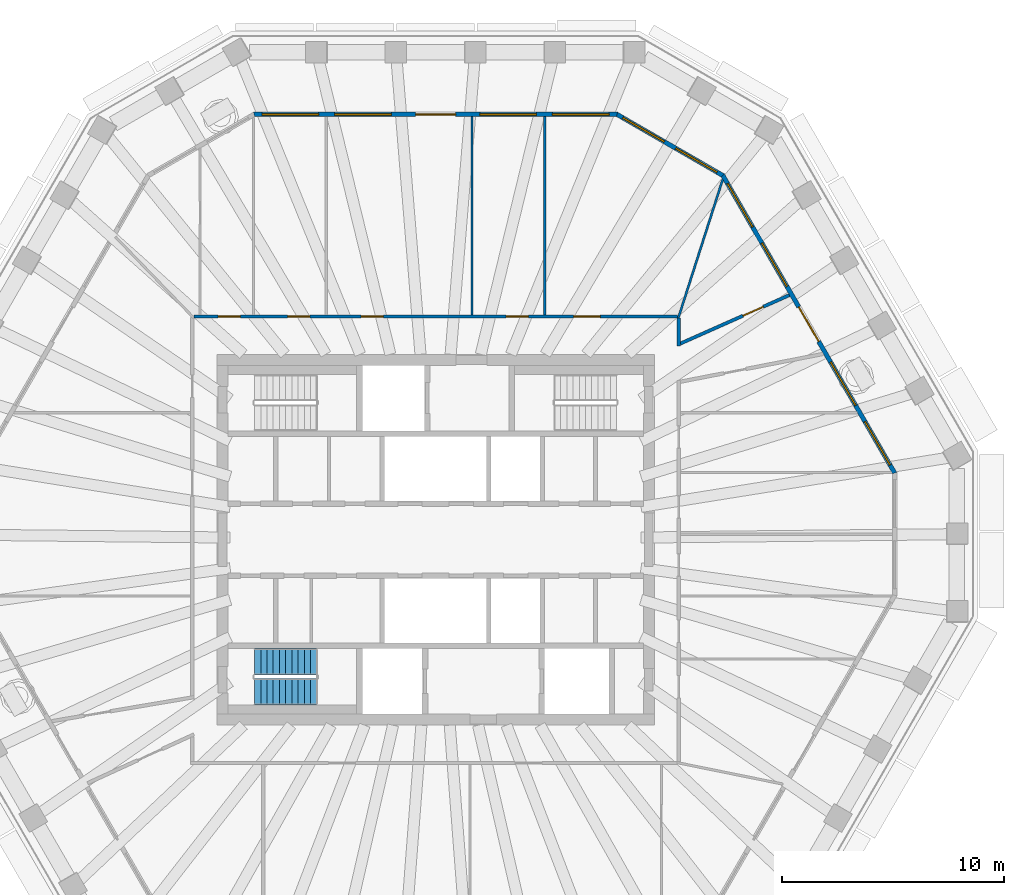
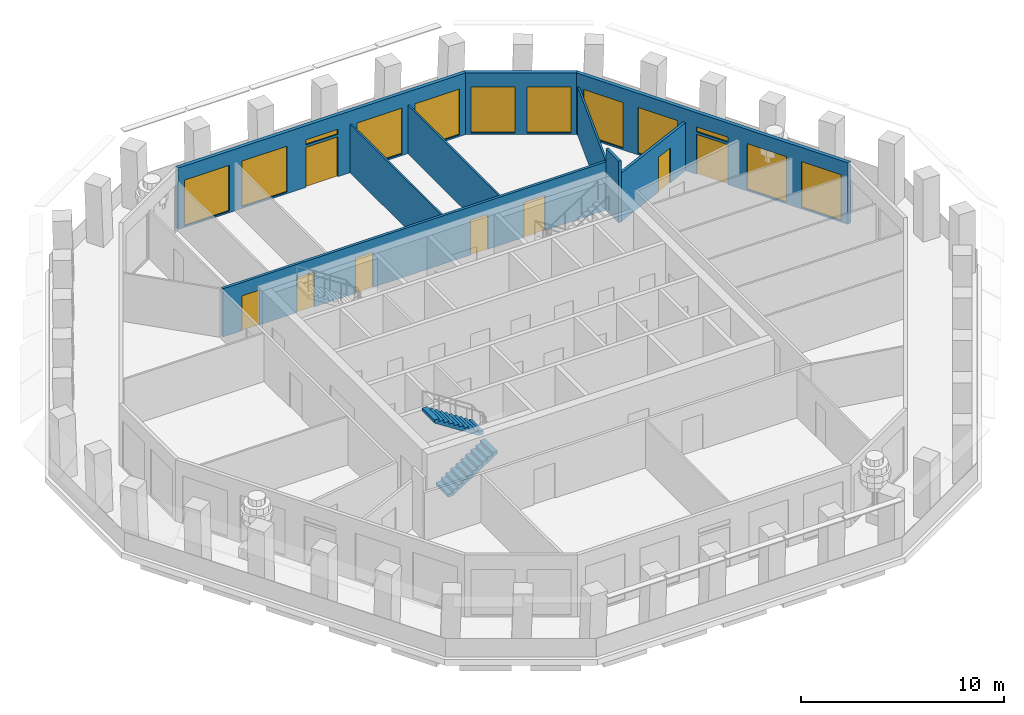
# One storey, part 7 of 12: 12 windows, 9 walls, 8 doors, 2 stair flights, 20 openings, 1 element without a shape of its own.
"""IFC4 building model written with IfcOpenShell, lengths in metres."""

from ifc_helpers import new_model, si_unit, direction, frame, frame_2d, origin, place, context, subcontext, project, spatial, polyline, rectangle, outline, extrude, material, layer, layer_set, type_object, element, fill, aggregate, save


model = new_model("IFC4")

# Units and contexts
model_context = context("Model", 3, precision=1e-05, world=origin(), true_north=direction((0.0, 1.0)))
body_context = subcontext(model_context, "Body", "Model", "MODEL_VIEW")
ifc_project = project(units=[si_unit("LENGTHUNIT", "METRE"), si_unit("AREAUNIT", "SQUARE_METRE"), si_unit("VOLUMEUNIT", "CUBIC_METRE"), si_unit("PLANEANGLEUNIT", "RADIAN"), si_unit("MASSUNIT", "GRAM", prefix="KILO")], contexts=[model_context])

# Site, building, storey
site_placement = place(None, origin())
site = spatial("IfcSite", under=ifc_project, at=site_placement, CompositionType="ELEMENT")
building_placement = place(site_placement, origin())
building = spatial("IfcBuilding", under=site, at=building_placement, Name="Frailejon Research Tower", CompositionType="ELEMENT")
storey_placement = place(building_placement, frame((0.0, 0.0, 271.0)))
storey = spatial("IfcBuildingStorey", under=building, at=storey_placement, Name="L59", CompositionType="ELEMENT", Elevation=271.0)

# Wall, opening, door
ifc_material_1 = material(Name="Gypsum board and masonry partition", Category="masonry")
ifc_layer_1 = layer(ifc_material_1, 0.14990234375)
ifc_layer_set_1 = layer_set([ifc_layer_1], Name="Corridor wall EI 60, gypsum on steel studs 150")
wall_type_1 = type_object("IfcWallType", Name="Corridor wall EI 60, gypsum on steel studs 150", PredefinedType="PARTITIONING", material=ifc_layer_set_1)
wall_1_placement = place(storey_placement, frame((11.0185546875, 8.83056640625, 0.0), z_axis=(0.0, 0.0, 1.0), x_axis=(0.913796559749, 0.406172189338, 0.0)))
wall_1 = element("IfcWall", 1, at=wall_1_placement, inside=storey, type_object=wall_type_1, Name="T:IW:L59:002", PredefinedType="PARTITIONING", context=body_context, shape_type="SweptSolid", body=[
    extrude(rectangle(XDim=5.37353515625, YDim=0.14990234375, at=frame_2d((2.686767578125, 0.0))), origin(), (0.0, 0.0, 1.0), 2.89990234375),
])
opening_1_placement = place(wall_1_placement, frame((3.08642578125, 0.0, 0.0)))
opening_1 = element("IfcOpeningElement", 2, at=opening_1_placement, cuts=wall_1, Name="Opening D2134", PredefinedType="OPENING", context=body_context, shape_type="SweptSolid", body=[
    extrude(rectangle(XDim=1.0, YDim=2.10009765625, at=frame_2d((0.5, 1.050048828125))), frame((0.0, 0.0849609375, 0.0), z_axis=(0.0, -1.0, 0.0), x_axis=(1.0, 0.0, 0.0)), (0.0, 0.0, 1.0), 0.169921875),
])
ifc_material_2 = material(Name="Timber door leaf", Category="wood")
door_type_1 = type_object("IfcDoorType", Name="Door single leaf, timber, steel frame 1000", OperationType="NOTDEFINED", PredefinedType="DOOR", material=ifc_material_2)
door_1_placement = place(opening_1_placement, origin())
door_1 = element("IfcDoor", 3, at=door_1_placement, inside=storey, type_object=door_type_1, Name="D2134", OperationType="SINGLE_SWING_LEFT", OverallHeight=2.10009765625, OverallWidth=1.0, PredefinedType="DOOR", context=body_context, shape_type="SweptSolid", body=[
    extrude(rectangle(XDim=1.0, YDim=2.10009765625, at=frame_2d((0.5, 1.050048828125))), frame((0.0, 0.02490234375, 0.0), z_axis=(0.0, -1.0, 0.0), x_axis=(1.0, 0.0, 0.0)), (0.0, 0.0, 1.0), 0.050048828125),
])
fill(opening_1, door_1)

# Wall
wall_2_placement = place(storey_placement, frame((10.949951171875, 8.72509765625, 0.0), z_axis=(0.0, 0.0, 1.0), x_axis=(0.0, 1.0, 0.0)))
element("IfcWall", 4, at=wall_2_placement, inside=storey, type_object=wall_type_1, Name="T:IW:L59:004", PredefinedType="PARTITIONING", context=body_context, shape_type="SweptSolid", body=[
    extrude(rectangle(XDim=1.25, YDim=0.14990234375, at=frame_2d((0.625, 0.0))), origin(), (0.0, 0.0, 1.0), 3.699951171875),
])

# Wall, openings, doors
wall_3_placement = place(storey_placement, frame((-10.875, 10.050048828125, 0.0), z_axis=(0.0, 0.0, 1.0), x_axis=(1.0, 0.0, 0.0)))
wall_3 = element("IfcWall", 5, at=wall_3_placement, inside=storey, type_object=wall_type_1, Name="T:IW:L59:005", PredefinedType="PARTITIONING", context=body_context, shape_type="SweptSolid", body=[
    extrude(rectangle(XDim=21.77490234375, YDim=0.14990234375, at=frame_2d((10.887451171875, 0.0))), origin(), (0.0, 0.0, 1.0), 2.89990234375),
])
opening_2_placement = place(wall_3_placement, frame((17.088623046875, 0.0, 0.0)))
opening_2 = element("IfcOpeningElement", 6, at=opening_2_placement, cuts=wall_3, Name="Opening D2135", PredefinedType="OPENING", context=body_context, shape_type="SweptSolid", body=[
    extrude(rectangle(XDim=1.199951171875, YDim=2.10009765625, at=frame_2d((0.60009765625, 1.050048828125))), frame((0.0, 0.0849609375, 0.0), z_axis=(0.0, -1.0, 0.0), x_axis=(1.0, 0.0, 0.0)), (0.0, 0.0, 1.0), 0.169921875),
])
opening_3_placement = place(wall_3_placement, frame((14.048095703125, 0.0, 0.0)))
opening_3 = element("IfcOpeningElement", 7, at=opening_3_placement, cuts=wall_3, Name="Opening D2136", PredefinedType="OPENING", context=body_context, shape_type="SweptSolid", body=[
    extrude(rectangle(XDim=1.0, YDim=2.10009765625, at=frame_2d((0.5, 1.050048828125))), frame((0.0, 0.0849609375, 0.0), z_axis=(0.0, -1.0, 0.0), x_axis=(1.0, 0.0, 0.0)), (0.0, 0.0, 1.0), 0.169921875),
])
opening_4_placement = place(wall_3_placement, frame((7.521484375, 0.0, 0.0)))
opening_4 = element("IfcOpeningElement", 8, at=opening_4_placement, cuts=wall_3, Name="Opening D2137", PredefinedType="OPENING", context=body_context, shape_type="SweptSolid", body=[
    extrude(rectangle(XDim=1.0, YDim=2.10009765625, at=frame_2d((0.5, 1.050048828125))), frame((0.0, 0.0849609375, 0.0), z_axis=(0.0, -1.0, 0.0), x_axis=(1.0, 0.0, 0.0)), (0.0, 0.0, 1.0), 0.169921875),
])
opening_5_placement = place(wall_3_placement, frame((4.212890625, 0.0, 0.0)))
opening_5 = element("IfcOpeningElement", 9, at=opening_5_placement, cuts=wall_3, Name="Opening D2138", PredefinedType="OPENING", context=body_context, shape_type="SweptSolid", body=[
    extrude(rectangle(XDim=1.0, YDim=2.10009765625, at=frame_2d((0.5, 1.050048828125))), frame((0.0, 0.0849609375, 0.0), z_axis=(0.0, -1.0, 0.0), x_axis=(1.0, 0.0, 0.0)), (0.0, 0.0, 1.0), 0.169921875),
])
opening_6_placement = place(wall_3_placement, frame((1.081787109375, 0.0, 0.0)))
opening_6 = element("IfcOpeningElement", 10, at=opening_6_placement, cuts=wall_3, Name="Opening D2139", PredefinedType="OPENING", context=body_context, shape_type="SweptSolid", body=[
    extrude(rectangle(XDim=1.0, YDim=2.10009765625, at=frame_2d((0.5, 1.050048828125))), frame((0.0, 0.0849609375, 0.0), z_axis=(0.0, -1.0, 0.0), x_axis=(1.0, 0.0, 0.0)), (0.0, 0.0, 1.0), 0.169921875),
])
door_2_placement = place(opening_3_placement, origin())
door_2 = element("IfcDoor", 11, at=door_2_placement, inside=storey, type_object=door_type_1, Name="D2136", OperationType="SINGLE_SWING_LEFT", OverallHeight=2.10009765625, OverallWidth=1.0, PredefinedType="DOOR", context=body_context, shape_type="SweptSolid", body=[
    extrude(rectangle(XDim=1.0, YDim=2.10009765625, at=frame_2d((0.5, 1.050048828125))), frame((0.0, 0.02490234375, 0.0), z_axis=(0.0, -1.0, 0.0), x_axis=(1.0, 0.0, 0.0)), (0.0, 0.0, 1.0), 0.050048828125),
])
fill(opening_3, door_2)
door_3_placement = place(opening_4_placement, origin())
door_3 = element("IfcDoor", 12, at=door_3_placement, inside=storey, type_object=door_type_1, Name="D2137", OperationType="SINGLE_SWING_RIGHT", OverallHeight=2.10009765625, OverallWidth=1.0, PredefinedType="DOOR", context=body_context, shape_type="SweptSolid", body=[
    extrude(rectangle(XDim=1.0, YDim=2.10009765625, at=frame_2d((0.5, 1.050048828125))), frame((0.0, 0.02490234375, 0.0), z_axis=(0.0, -1.0, 0.0), x_axis=(1.0, 0.0, 0.0)), (0.0, 0.0, 1.0), 0.050048828125),
])
fill(opening_4, door_3)
door_4_placement = place(opening_5_placement, origin())
door_4 = element("IfcDoor", 13, at=door_4_placement, inside=storey, type_object=door_type_1, Name="D2138", OperationType="SINGLE_SWING_RIGHT", OverallHeight=2.10009765625, OverallWidth=1.0, PredefinedType="DOOR", context=body_context, shape_type="SweptSolid", body=[
    extrude(rectangle(XDim=1.0, YDim=2.10009765625, at=frame_2d((0.5, 1.050048828125))), frame((0.0, 0.02490234375, 0.0), z_axis=(0.0, -1.0, 0.0), x_axis=(1.0, 0.0, 0.0)), (0.0, 0.0, 1.0), 0.050048828125),
])
fill(opening_5, door_4)
door_5_placement = place(opening_6_placement, origin())
door_5 = element("IfcDoor", 14, at=door_5_placement, inside=storey, type_object=door_type_1, Name="D2139", OperationType="SINGLE_SWING_RIGHT", OverallHeight=2.10009765625, OverallWidth=1.0, PredefinedType="DOOR", context=body_context, shape_type="SweptSolid", body=[
    extrude(rectangle(XDim=1.0, YDim=2.10009765625, at=frame_2d((0.5, 1.050048828125))), frame((0.0, 0.02490234375, 0.0), z_axis=(0.0, -1.0, 0.0), x_axis=(1.0, 0.0, 0.0)), (0.0, 0.0, 1.0), 0.050048828125),
])
fill(opening_6, door_5)
ifc_material_3 = material(Name="Timber door leaf", Category="wood")
door_type_2 = type_object("IfcDoorType", Name="Door single leaf, timber, steel frame 1200", OperationType="NOTDEFINED", PredefinedType="DOOR", material=ifc_material_3)
door_6_placement = place(opening_2_placement, origin())
door_6 = element("IfcDoor", 15, at=door_6_placement, inside=storey, type_object=door_type_2, Name="D2135", OperationType="DOUBLE_DOOR_SINGLE_SWING", OverallHeight=2.10009765625, OverallWidth=1.199951171875, PredefinedType="DOOR", context=body_context, shape_type="SweptSolid", body=[
    extrude(rectangle(XDim=1.199951171875, YDim=2.10009765625, at=frame_2d((0.60009765625, 1.050048828125))), frame((0.0, 0.02490234375, 0.0), z_axis=(0.0, -1.0, 0.0), x_axis=(1.0, 0.0, 0.0)), (0.0, 0.0, 1.0), 0.050048828125),
])
fill(opening_2, door_6)

# Walls
ifc_material_4 = material(Name="Gypsum board and masonry partition", Category="masonry")
ifc_layer_2 = layer(ifc_material_4, 0.10009765625)
ifc_layer_set_2 = layer_set([ifc_layer_2], Name="Partition, gypsum on steel studs 100")
wall_type_2 = type_object("IfcWallType", Name="Partition, gypsum on steel studs 100", PredefinedType="PARTITIONING", material=ifc_layer_set_2)
wall_4_placement = place(storey_placement, frame((10.927001953125, 9.978515625, 0.0), z_axis=(0.0, 0.0, 1.0), x_axis=(0.305268095112, 0.952266449113, 0.0)))
element("IfcWall", 16, at=wall_4_placement, inside=storey, type_object=wall_type_2, Name="T:IW:L59:016", PredefinedType="PARTITIONING", context=body_context, shape_type="SweptSolid", body=[
    extrude(rectangle(XDim=6.54833984375, YDim=0.10009765625, at=frame_2d((3.274169921875, 0.0))), origin(), (0.0, 0.0, 1.0), 2.89990234375),
])
for number, where, z_axis, x_axis, name in (
    (17, (4.91748046875, 10.125, 0.0), (0.0, 0.0, 1.0), (0.0, 1.0, 0.0), "T:IW:L59:017"),
    (18, (1.63916015625, 10.125, 0.0), (0.0, 0.0, 1.0), (0.0, 1.0, 0.0), "T:IW:L59:018"),
):
    element("IfcWall", number, at=place(storey_placement, frame(where, z_axis=z_axis, x_axis=x_axis)), inside=storey, type_object=wall_type_2, Name=name, PredefinedType="PARTITIONING", context=body_context, shape_type="SweptSolid", body=[
        extrude(rectangle(XDim=8.925048828125, YDim=0.10009765625, at=frame_2d((4.46240234375, 0.0))), origin(), (0.0, 0.0, 1.0), 2.89990234375),
    ])

# Wall, openings, door, windows
ifc_material_5 = material(Name="Concrete C40/50 precast window wall panel", Category="concrete")
ifc_layer_3 = layer(ifc_material_5, 0.199951171875)
ifc_layer_set_3 = layer_set([ifc_layer_3], Name="Window wall 200")
wall_type_3 = type_object("IfcWallType", Name="Window wall 200", PredefinedType="SOLIDWALL", material=ifc_layer_set_3)
wall_5_placement = place(storey_placement, frame((20.6689453125, 3.003173828125, 0.0), z_axis=(0.0, 0.0, 1.0), x_axis=(-0.500001185373, 0.866024719408, 0.0)))
wall_5 = element("IfcWall", 19, at=wall_5_placement, inside=storey, type_object=wall_type_3, Name="Exterior wall L59", PredefinedType="SOLIDWALL", context=body_context, shape_type="SweptSolid", body=[
    extrude(outline(polyline([(-0.02685546875, -0.10009765625), (1.0078125, -0.10009765625), (2.042724609375, -0.10009765625), (3.077392578125, -0.10009765625), (4.112060546875, -0.10009765625), (5.146728515625, -0.10009765625), (6.181640625, -0.10009765625), (7.21630859375, -0.10009765625), (8.2509765625, -0.10009765625), (9.28564453125, -0.10009765625), (10.320556640625, -0.10009765625), (11.355224609375, -0.10009765625), (12.389892578125, -0.10009765625), (13.424560546875, -0.10009765625), (14.45947265625, -0.10009765625), (15.494140625, -0.10009765625), (15.4404296875, 0.10009765625), (14.412841796875, 0.10009765625), (13.38525390625, 0.10009765625), (12.357666015625, 0.10009765625), (11.330078125, 0.10009765625), (10.302490234375, 0.10009765625), (9.27490234375, 0.10009765625), (8.247314453125, 0.10009765625), (7.219970703125, 0.10009765625), (6.1923828125, 0.10009765625), (5.164794921875, 0.10009765625), (4.13720703125, 0.10009765625), (3.109619140625, 0.10009765625), (2.08203125, 0.10009765625), (1.054443359375, 0.10009765625), (0.02685546875, 0.10009765625), (-0.02685546875, -0.10009765625)])), origin(), (0.0, 0.0, 1.0), 3.699951171875),
])
opening_7_placement = place(wall_5_placement, frame((0.421630859375, 0.0, 0.10009765625)))
opening_7 = element("IfcOpeningElement", 20, at=opening_7_placement, cuts=wall_5, Name="Opening W23", PredefinedType="OPENING", context=body_context, shape_type="SweptSolid", body=[
    extrude(rectangle(XDim=2.25, YDim=2.75, at=frame_2d((1.125, 1.375))), frame((0.0, 0.10986328125, 0.0), z_axis=(0.0, -1.0, 0.0), x_axis=(1.0, 0.0, 0.0)), (0.0, 0.0, 1.0), 0.219970703125),
])
opening_8_placement = place(wall_5_placement, frame((3.51513671875, 0.0, 0.10009765625)))
opening_8 = element("IfcOpeningElement", 21, at=opening_8_placement, cuts=wall_5, Name="Opening W23", PredefinedType="OPENING", context=body_context, shape_type="SweptSolid", body=[
    extrude(rectangle(XDim=2.25, YDim=2.75, at=frame_2d((1.125, 1.375))), frame((0.0, 0.10986328125, 0.0), z_axis=(0.0, -1.0, 0.0), x_axis=(1.0, 0.0, 0.0)), (0.0, 0.0, 1.0), 0.219970703125),
])
opening_9_placement = place(wall_5_placement, frame((6.833740234375, 0.0, 0.0)))
opening_9 = element("IfcOpeningElement", 22, at=opening_9_placement, cuts=wall_5, Name="Opening LG59-1", PredefinedType="OPENING", context=body_context, shape_type="SweptSolid", body=[
    extrude(rectangle(XDim=1.800048828125, YDim=2.39990234375, at=frame_2d((0.89990234375, 1.199951171875))), frame((0.0, 0.10986328125, 0.0), z_axis=(0.0, -1.0, 0.0), x_axis=(1.0, 0.0, 0.0)), (0.0, 0.0, 1.0), 0.219970703125),
])
opening_10_placement = place(wall_5_placement, frame((6.833740234375, 0.0, 2.550048828125)))
opening_10 = element("IfcOpeningElement", 23, at=opening_10_placement, cuts=wall_5, Name="Opening W24", PredefinedType="OPENING", context=body_context, shape_type="SweptSolid", body=[
    extrude(rectangle(XDim=1.800048828125, YDim=0.300048828125, at=frame_2d((0.89990234375, 0.14990234375))), frame((0.0, 0.10986328125, 0.0), z_axis=(0.0, -1.0, 0.0), x_axis=(1.0, 0.0, 0.0)), (0.0, 0.0, 1.0), 0.219970703125),
])
opening_11_placement = place(wall_5_placement, frame((9.7021484375, 0.0, 0.10009765625)))
opening_11 = element("IfcOpeningElement", 24, at=opening_11_placement, cuts=wall_5, Name="Opening W23", PredefinedType="OPENING", context=body_context, shape_type="SweptSolid", body=[
    extrude(rectangle(XDim=2.25, YDim=2.75, at=frame_2d((1.125, 1.375))), frame((0.0, 0.10986328125, 0.0), z_axis=(0.0, -1.0, 0.0), x_axis=(1.0, 0.0, 0.0)), (0.0, 0.0, 1.0), 0.219970703125),
])
opening_12_placement = place(wall_5_placement, frame((12.795654296875, 0.0, 0.10009765625)))
opening_12 = element("IfcOpeningElement", 25, at=opening_12_placement, cuts=wall_5, Name="Opening W23", PredefinedType="OPENING", context=body_context, shape_type="SweptSolid", body=[
    extrude(rectangle(XDim=2.25, YDim=2.75, at=frame_2d((1.125, 1.375))), frame((0.0, 0.10986328125, 0.0), z_axis=(0.0, -1.0, 0.0), x_axis=(1.0, 0.0, 0.0)), (0.0, 0.0, 1.0), 0.219970703125),
])
ifc_material_6 = material(Name="Aluminium framed glazed door leaf", Category="aluminium")
door_type_3 = type_object("IfcDoorType", Name="Loggia door 1800x2400", OperationType="DOUBLE_DOOR_SINGLE_SWING", PredefinedType="DOOR", material=ifc_material_6)
door_7_placement = place(opening_9_placement, origin())
door_7 = element("IfcDoor", 26, at=door_7_placement, inside=storey, type_object=door_type_3, Name="Door LG59-1", OperationType="DOUBLE_DOOR_SINGLE_SWING", OverallHeight=2.39990234375, OverallWidth=1.800048828125, PredefinedType="DOOR", context=body_context, shape_type="SweptSolid", body=[
    extrude(rectangle(XDim=1.800048828125, YDim=2.39990234375, at=frame_2d((0.89990234375, 1.199951171875))), frame((0.0, 0.02490234375, 0.0), z_axis=(0.0, -1.0, 0.0), x_axis=(1.0, 0.0, 0.0)), (0.0, 0.0, 1.0), 0.050048828125),
])
fill(opening_9, door_7)
ifc_material_7 = material(Name="Aluminium framed double glazing", Category="aluminium")
window_type_1 = type_object("IfcWindowType", Name="Window 1800x300", PartitioningType="SINGLE_PANEL", PredefinedType="WINDOW", material=ifc_material_7)
window_1_placement = place(opening_10_placement, origin())
window_1 = element("IfcWindow", 27, at=window_1_placement, inside=storey, type_object=window_type_1, Name="Window L59", OverallHeight=0.300048828125, OverallWidth=1.800048828125, PartitioningType="SINGLE_PANEL", PredefinedType="WINDOW", context=body_context, shape_type="SweptSolid", body=[
    extrude(rectangle(XDim=1.800048828125, YDim=0.300048828125, at=frame_2d((0.89990234375, 0.14990234375))), frame((0.0, 0.030029296875, 0.0), z_axis=(0.0, -1.0, 0.0), x_axis=(1.0, 0.0, 0.0)), (0.0, 0.0, 1.0), 0.06005859375),
])
fill(opening_10, window_1)
ifc_material_8 = material(Name="Aluminium framed double glazing", Category="aluminium")
window_type_2 = type_object("IfcWindowType", Name="Window 2250x2750", PartitioningType="SINGLE_PANEL", PredefinedType="WINDOW", material=ifc_material_8)
window_2_placement = place(opening_7_placement, origin())
window_2 = element("IfcWindow", 28, at=window_2_placement, inside=storey, type_object=window_type_2, Name="Window L59", OverallHeight=2.75, OverallWidth=2.25, PartitioningType="SINGLE_PANEL", PredefinedType="WINDOW", context=body_context, shape_type="SweptSolid", body=[
    extrude(rectangle(XDim=2.25, YDim=2.75, at=frame_2d((1.125, 1.375))), frame((0.0, 0.030029296875, 0.0), z_axis=(0.0, -1.0, 0.0), x_axis=(1.0, 0.0, 0.0)), (0.0, 0.0, 1.0), 0.06005859375),
])
fill(opening_7, window_2)
window_3_placement = place(opening_8_placement, origin())
window_3 = element("IfcWindow", 29, at=window_3_placement, inside=storey, type_object=window_type_2, Name="Window L59", OverallHeight=2.75, OverallWidth=2.25, PartitioningType="SINGLE_PANEL", PredefinedType="WINDOW", context=body_context, shape_type="SweptSolid", body=[
    extrude(rectangle(XDim=2.25, YDim=2.75, at=frame_2d((1.125, 1.375))), frame((0.0, 0.030029296875, 0.0), z_axis=(0.0, -1.0, 0.0), x_axis=(1.0, 0.0, 0.0)), (0.0, 0.0, 1.0), 0.06005859375),
])
fill(opening_8, window_3)
window_4_placement = place(opening_11_placement, origin())
window_4 = element("IfcWindow", 30, at=window_4_placement, inside=storey, type_object=window_type_2, Name="Window L59", OverallHeight=2.75, OverallWidth=2.25, PartitioningType="SINGLE_PANEL", PredefinedType="WINDOW", context=body_context, shape_type="SweptSolid", body=[
    extrude(rectangle(XDim=2.25, YDim=2.75, at=frame_2d((1.125, 1.375))), frame((0.0, 0.030029296875, 0.0), z_axis=(0.0, -1.0, 0.0), x_axis=(1.0, 0.0, 0.0)), (0.0, 0.0, 1.0), 0.06005859375),
])
fill(opening_11, window_4)
window_5_placement = place(opening_12_placement, origin())
window_5 = element("IfcWindow", 31, at=window_5_placement, inside=storey, type_object=window_type_2, Name="Window L59", OverallHeight=2.75, OverallWidth=2.25, PartitioningType="SINGLE_PANEL", PredefinedType="WINDOW", context=body_context, shape_type="SweptSolid", body=[
    extrude(rectangle(XDim=2.25, YDim=2.75, at=frame_2d((1.125, 1.375))), frame((0.0, 0.030029296875, 0.0), z_axis=(0.0, -1.0, 0.0), x_axis=(1.0, 0.0, 0.0)), (0.0, 0.0, 1.0), 0.06005859375),
])
fill(opening_12, window_5)

# Wall, openings, windows
wall_6_placement = place(storey_placement, frame((12.935302734375, 16.398193359375, 0.0), z_axis=(0.0, 0.0, 1.0), x_axis=(-0.866026017613, 0.499998936816, 0.0)))
wall_6 = element("IfcWall", 32, at=wall_6_placement, inside=storey, type_object=wall_type_3, Name="Exterior wall L59", PredefinedType="SOLIDWALL", context=body_context, shape_type="SweptSolid", body=[
    extrude(outline(polyline([(-0.02685546875, -0.10009765625), (1.08447265625, -0.10009765625), (2.196044921875, -0.10009765625), (3.307373046875, -0.10009765625), (4.4189453125, -0.10009765625), (5.5302734375, -0.10009765625), (5.4765625, 0.10009765625), (4.38671875, 0.10009765625), (3.296630859375, 0.10009765625), (2.206787109375, 0.10009765625), (1.11669921875, 0.10009765625), (0.02685546875, 0.10009765625), (-0.02685546875, -0.10009765625)])), origin(), (0.0, 0.0, 1.0), 3.699951171875),
])
opening_13_placement = place(wall_6_placement, frame((0.30078125, 0.0, 0.10009765625)))
opening_13 = element("IfcOpeningElement", 33, at=opening_13_placement, cuts=wall_6, Name="Opening W22", PredefinedType="OPENING", context=body_context, shape_type="SweptSolid", body=[
    extrude(rectangle(XDim=2.14990234375, YDim=2.75, at=frame_2d((1.074951171875, 1.375))), frame((0.0, 0.10986328125, 0.0), z_axis=(0.0, -1.0, 0.0), x_axis=(1.0, 0.0, 0.0)), (0.0, 0.0, 1.0), 0.219970703125),
])
opening_14_placement = place(wall_6_placement, frame((3.052490234375, 0.0, 0.10009765625)))
opening_14 = element("IfcOpeningElement", 34, at=opening_14_placement, cuts=wall_6, Name="Opening W22", PredefinedType="OPENING", context=body_context, shape_type="SweptSolid", body=[
    extrude(rectangle(XDim=2.14990234375, YDim=2.75, at=frame_2d((1.074951171875, 1.375))), frame((0.0, 0.10986328125, 0.0), z_axis=(0.0, -1.0, 0.0), x_axis=(1.0, 0.0, 0.0)), (0.0, 0.0, 1.0), 0.219970703125),
])
ifc_material_9 = material(Name="Aluminium framed double glazing", Category="aluminium")
window_type_3 = type_object("IfcWindowType", Name="Window 2150x2750", PartitioningType="SINGLE_PANEL", PredefinedType="WINDOW", material=ifc_material_9)
window_6_placement = place(opening_13_placement, origin())
window_6 = element("IfcWindow", 35, at=window_6_placement, inside=storey, type_object=window_type_3, Name="Window L59", OverallHeight=2.75, OverallWidth=2.14990234375, PartitioningType="SINGLE_PANEL", PredefinedType="WINDOW", context=body_context, shape_type="SweptSolid", body=[
    extrude(rectangle(XDim=2.14990234375, YDim=2.75, at=frame_2d((1.074951171875, 1.375))), frame((0.0, 0.030029296875, 0.0), z_axis=(0.0, -1.0, 0.0), x_axis=(1.0, 0.0, 0.0)), (0.0, 0.0, 1.0), 0.06005859375),
])
fill(opening_13, window_6)
window_7_placement = place(opening_14_placement, origin())
window_7 = element("IfcWindow", 36, at=window_7_placement, inside=storey, type_object=window_type_3, Name="Window L59", OverallHeight=2.75, OverallWidth=2.14990234375, PartitioningType="SINGLE_PANEL", PredefinedType="WINDOW", context=body_context, shape_type="SweptSolid", body=[
    extrude(rectangle(XDim=2.14990234375, YDim=2.75, at=frame_2d((1.074951171875, 1.375))), frame((0.0, 0.030029296875, 0.0), z_axis=(0.0, -1.0, 0.0), x_axis=(1.0, 0.0, 0.0)), (0.0, 0.0, 1.0), 0.06005859375),
])
fill(opening_14, window_7)

# Wall, openings, door, windows
wall_7_placement = place(storey_placement, frame((8.169189453125, 19.14990234375, 0.0), z_axis=(0.0, 0.0, 1.0), x_axis=(-1.0, 0.0, 0.0)))
wall_7 = element("IfcWall", 37, at=wall_7_placement, inside=storey, type_object=wall_type_3, Name="Exterior wall L59", PredefinedType="SOLIDWALL", context=body_context, shape_type="SweptSolid", body=[
    extrude(outline(polyline([(-0.02685546875, -0.10009765625), (0.99755859375, -0.10009765625), (2.022216796875, -0.10009765625), (3.046630859375, -0.10009765625), (4.0712890625, -0.10009765625), (5.095703125, -0.10009765625), (6.1201171875, -0.10009765625), (7.144775390625, -0.10009765625), (8.169189453125, -0.10009765625), (9.193603515625, -0.10009765625), (10.21826171875, -0.10009765625), (11.24267578125, -0.10009765625), (12.26708984375, -0.10009765625), (13.291748046875, -0.10009765625), (14.316162109375, -0.10009765625), (15.3408203125, -0.10009765625), (16.365234375, -0.10009765625), (16.3115234375, 0.10009765625), (15.293701171875, 0.10009765625), (14.27587890625, 0.10009765625), (13.258056640625, 0.10009765625), (12.240234375, 0.10009765625), (11.22265625, 0.10009765625), (10.204833984375, 0.10009765625), (9.18701171875, 0.10009765625), (8.169189453125, 0.10009765625), (7.1513671875, 0.10009765625), (6.133544921875, 0.10009765625), (5.11572265625, 0.10009765625), (4.09814453125, 0.10009765625), (3.080322265625, 0.10009765625), (2.0625, 0.10009765625), (1.044677734375, 0.10009765625), (0.02685546875, 0.10009765625), (-0.02685546875, -0.10009765625)])), origin(), (0.0, 0.0, 1.0), 3.699951171875),
])
opening_15_placement = place(wall_7_placement, frame((0.35888671875, 0.0, 0.10009765625)))
opening_15 = element("IfcOpeningElement", 38, at=opening_15_placement, cuts=wall_7, Name="Opening W25", PredefinedType="OPENING", context=body_context, shape_type="SweptSolid", body=[
    extrude(rectangle(XDim=2.550048828125, YDim=2.75, at=frame_2d((1.27490234375, 1.375))), frame((0.0, 0.10986328125, 0.0), z_axis=(0.0, -1.0, 0.0), x_axis=(1.0, 0.0, 0.0)), (0.0, 0.0, 1.0), 0.219970703125),
])
opening_16_placement = place(wall_7_placement, frame((3.62646484375, 0.0, 0.10009765625)))
opening_16 = element("IfcOpeningElement", 39, at=opening_16_placement, cuts=wall_7, Name="Opening W25", PredefinedType="OPENING", context=body_context, shape_type="SweptSolid", body=[
    extrude(rectangle(XDim=2.550048828125, YDim=2.75, at=frame_2d((1.27490234375, 1.375))), frame((0.0, 0.10986328125, 0.0), z_axis=(0.0, -1.0, 0.0), x_axis=(1.0, 0.0, 0.0)), (0.0, 0.0, 1.0), 0.219970703125),
])
opening_17_placement = place(wall_7_placement, frame((7.269287109375, 0.0, 0.0)))
opening_17 = element("IfcOpeningElement", 40, at=opening_17_placement, cuts=wall_7, Name="Opening LG59-2", PredefinedType="OPENING", context=body_context, shape_type="SweptSolid", body=[
    extrude(rectangle(XDim=1.800048828125, YDim=2.39990234375, at=frame_2d((0.89990234375, 1.199951171875))), frame((0.0, 0.10986328125, 0.0), z_axis=(0.0, -1.0, 0.0), x_axis=(1.0, 0.0, 0.0)), (0.0, 0.0, 1.0), 0.219970703125),
])
opening_18_placement = place(wall_7_placement, frame((7.269287109375, 0.0, 2.550048828125)))
opening_18 = element("IfcOpeningElement", 41, at=opening_18_placement, cuts=wall_7, Name="Opening W24", PredefinedType="OPENING", context=body_context, shape_type="SweptSolid", body=[
    extrude(rectangle(XDim=1.800048828125, YDim=0.300048828125, at=frame_2d((0.89990234375, 0.14990234375))), frame((0.0, 0.10986328125, 0.0), z_axis=(0.0, -1.0, 0.0), x_axis=(1.0, 0.0, 0.0)), (0.0, 0.0, 1.0), 0.219970703125),
])
opening_19_placement = place(wall_7_placement, frame((10.161865234375, 0.0, 0.10009765625)))
opening_19 = element("IfcOpeningElement", 42, at=opening_19_placement, cuts=wall_7, Name="Opening W25", PredefinedType="OPENING", context=body_context, shape_type="SweptSolid", body=[
    extrude(rectangle(XDim=2.550048828125, YDim=2.75, at=frame_2d((1.27490234375, 1.375))), frame((0.0, 0.10986328125, 0.0), z_axis=(0.0, -1.0, 0.0), x_axis=(1.0, 0.0, 0.0)), (0.0, 0.0, 1.0), 0.219970703125),
])
opening_20_placement = place(wall_7_placement, frame((13.429443359375, 0.0, 0.10009765625)))
opening_20 = element("IfcOpeningElement", 43, at=opening_20_placement, cuts=wall_7, Name="Opening W25", PredefinedType="OPENING", context=body_context, shape_type="SweptSolid", body=[
    extrude(rectangle(XDim=2.550048828125, YDim=2.75, at=frame_2d((1.27490234375, 1.375))), frame((0.0, 0.10986328125, 0.0), z_axis=(0.0, -1.0, 0.0), x_axis=(1.0, 0.0, 0.0)), (0.0, 0.0, 1.0), 0.219970703125),
])
door_8_placement = place(opening_17_placement, origin())
door_8 = element("IfcDoor", 44, at=door_8_placement, inside=storey, type_object=door_type_3, Name="Door LG59-2", OperationType="DOUBLE_DOOR_SINGLE_SWING", OverallHeight=2.39990234375, OverallWidth=1.800048828125, PredefinedType="DOOR", context=body_context, shape_type="SweptSolid", body=[
    extrude(rectangle(XDim=1.800048828125, YDim=2.39990234375, at=frame_2d((0.89990234375, 1.199951171875))), frame((0.0, 0.02490234375, 0.0), z_axis=(0.0, -1.0, 0.0), x_axis=(1.0, 0.0, 0.0)), (0.0, 0.0, 1.0), 0.050048828125),
])
fill(opening_17, door_8)
window_8_placement = place(opening_18_placement, origin())
window_8 = element("IfcWindow", 45, at=window_8_placement, inside=storey, type_object=window_type_1, Name="Window L59", OverallHeight=0.300048828125, OverallWidth=1.800048828125, PartitioningType="SINGLE_PANEL", PredefinedType="WINDOW", context=body_context, shape_type="SweptSolid", body=[
    extrude(rectangle(XDim=1.800048828125, YDim=0.300048828125, at=frame_2d((0.89990234375, 0.14990234375))), frame((0.0, 0.030029296875, 0.0), z_axis=(0.0, -1.0, 0.0), x_axis=(1.0, 0.0, 0.0)), (0.0, 0.0, 1.0), 0.06005859375),
])
fill(opening_18, window_8)
ifc_material_10 = material(Name="Aluminium framed double glazing", Category="aluminium")
window_type_4 = type_object("IfcWindowType", Name="Window 2550x2750", PartitioningType="SINGLE_PANEL", PredefinedType="WINDOW", material=ifc_material_10)
window_9_placement = place(opening_15_placement, origin())
window_9 = element("IfcWindow", 46, at=window_9_placement, inside=storey, type_object=window_type_4, Name="Window L59", OverallHeight=2.75, OverallWidth=2.550048828125, PartitioningType="SINGLE_PANEL", PredefinedType="WINDOW", context=body_context, shape_type="SweptSolid", body=[
    extrude(rectangle(XDim=2.550048828125, YDim=2.75, at=frame_2d((1.27490234375, 1.375))), frame((0.0, 0.030029296875, 0.0), z_axis=(0.0, -1.0, 0.0), x_axis=(1.0, 0.0, 0.0)), (0.0, 0.0, 1.0), 0.06005859375),
])
fill(opening_15, window_9)
window_10_placement = place(opening_16_placement, origin())
window_10 = element("IfcWindow", 47, at=window_10_placement, inside=storey, type_object=window_type_4, Name="Window L59", OverallHeight=2.75, OverallWidth=2.550048828125, PartitioningType="SINGLE_PANEL", PredefinedType="WINDOW", context=body_context, shape_type="SweptSolid", body=[
    extrude(rectangle(XDim=2.550048828125, YDim=2.75, at=frame_2d((1.27490234375, 1.375))), frame((0.0, 0.030029296875, 0.0), z_axis=(0.0, -1.0, 0.0), x_axis=(1.0, 0.0, 0.0)), (0.0, 0.0, 1.0), 0.06005859375),
])
fill(opening_16, window_10)
window_11_placement = place(opening_19_placement, origin())
window_11 = element("IfcWindow", 48, at=window_11_placement, inside=storey, type_object=window_type_4, Name="Window L59", OverallHeight=2.75, OverallWidth=2.550048828125, PartitioningType="SINGLE_PANEL", PredefinedType="WINDOW", context=body_context, shape_type="SweptSolid", body=[
    extrude(rectangle(XDim=2.550048828125, YDim=2.75, at=frame_2d((1.27490234375, 1.375))), frame((0.0, 0.030029296875, 0.0), z_axis=(0.0, -1.0, 0.0), x_axis=(1.0, 0.0, 0.0)), (0.0, 0.0, 1.0), 0.06005859375),
])
fill(opening_19, window_11)
window_12_placement = place(opening_20_placement, origin())
window_12 = element("IfcWindow", 49, at=window_12_placement, inside=storey, type_object=window_type_4, Name="Window L59", OverallHeight=2.75, OverallWidth=2.550048828125, PartitioningType="SINGLE_PANEL", PredefinedType="WINDOW", context=body_context, shape_type="SweptSolid", body=[
    extrude(rectangle(XDim=2.550048828125, YDim=2.75, at=frame_2d((1.27490234375, 1.375))), frame((0.0, 0.030029296875, 0.0), z_axis=(0.0, -1.0, 0.0), x_axis=(1.0, 0.0, 0.0)), (0.0, 0.0, 1.0), 0.06005859375),
])
fill(opening_20, window_12)

# Stair, stair flights
ifc_material_11 = material(Name="Concrete C50/60", Category="concrete")
stair_type = type_object("IfcStairType", Name="Exit stair 22 risers", PredefinedType="HALF_TURN_STAIR", material=ifc_material_11)
stair_placement = place(storey_placement, origin())
stair = element("IfcStair", 50, at=stair_placement, inside=storey, type_object=stair_type, Name="L59 Exit stair ST2", PredefinedType="HALF_TURN_STAIR")
ifc_material_12 = material(Name="Concrete C50/60", Category="concrete")
ifc_layer_4 = layer(ifc_material_12, 0.14990234375)
ifc_layer_set_4 = layer_set([ifc_layer_4], Name="Stair flight 11 risers")
stair_flight_type = type_object("IfcStairFlightType", Name="Stair flight 11 risers", PredefinedType="STRAIGHT", material=ifc_layer_set_4)
stair_flight_1_placement = place(storey_placement, frame((-8.14990234375, -6.85009765625, 0.0), z_axis=(0.0, 0.0, 1.0), x_axis=(1.0, 0.0, 0.0)))
stair_flight_1 = element("IfcStairFlight", 51, at=stair_flight_1_placement, type_object=stair_flight_type, Name="ST2 flight 1", NumberOfRisers=11, NumberOfTreads=10, PredefinedType="STRAIGHT", RiserHeight=0.181818182, TreadLength=0.28, context=body_context, shape_type="SweptSolid", body=[
    extrude(outline(polyline([(0.0, 0.0), (0.0, 0.181884765625), (0.280029296875, 0.181884765625), (0.280029296875, 0.363525390625), (0.56005859375, 0.363525390625), (0.56005859375, 0.54541015625), (0.840087890625, 0.54541015625), (0.840087890625, 0.727294921875), (1.1201171875, 0.727294921875), (1.1201171875, 0.9091796875), (1.39990234375, 0.9091796875), (1.39990234375, 1.0908203125), (1.679931640625, 1.0908203125), (1.679931640625, 1.272705078125), (1.9599609375, 1.272705078125), (1.9599609375, 1.45458984375), (2.239990234375, 1.45458984375), (2.239990234375, 1.636474609375), (2.52001953125, 1.636474609375), (2.52001953125, 1.818115234375), (2.800048828125, 1.818115234375), (2.800048828125, 2.0), (2.800048828125, 1.639404296875), (0.275146484375, 0.0), (0.0, 0.0)])), frame((0.0, 0.60009765625, 0.0), z_axis=(0.0, -1.0, 0.0), x_axis=(1.0, 0.0, 0.0)), (0.0, 0.0, 1.0), 1.199951171875),
])
stair_flight_2_placement = place(storey_placement, frame((-5.35009765625, -5.5, 2.0), z_axis=(0.0, 0.0, 1.0), x_axis=(-1.0, 0.0, 0.0)))
stair_flight_2 = element("IfcStairFlight", 52, at=stair_flight_2_placement, type_object=stair_flight_type, Name="ST2 flight 2", NumberOfRisers=11, NumberOfTreads=10, PredefinedType="STRAIGHT", RiserHeight=0.181818182, TreadLength=0.28, context=body_context, shape_type="SweptSolid", body=[
    extrude(outline(polyline([(0.0, 0.0), (0.0, 0.181884765625), (0.280029296875, 0.181884765625), (0.280029296875, 0.363525390625), (0.56005859375, 0.363525390625), (0.56005859375, 0.54541015625), (0.840087890625, 0.54541015625), (0.840087890625, 0.727294921875), (1.1201171875, 0.727294921875), (1.1201171875, 0.9091796875), (1.39990234375, 0.9091796875), (1.39990234375, 1.0908203125), (1.679931640625, 1.0908203125), (1.679931640625, 1.272705078125), (1.9599609375, 1.272705078125), (1.9599609375, 1.45458984375), (2.239990234375, 1.45458984375), (2.239990234375, 1.636474609375), (2.52001953125, 1.636474609375), (2.52001953125, 1.818115234375), (2.800048828125, 1.818115234375), (2.800048828125, 2.0), (2.800048828125, 1.639404296875), (0.275146484375, 0.0), (0.0, 0.0)])), frame((0.0, 0.60009765625, 0.0), z_axis=(0.0, -1.0, 0.0), x_axis=(1.0, 0.0, 0.0)), (0.0, 0.0, 1.0), 1.199951171875),
])
aggregate(stair, [stair_flight_1, stair_flight_2])

save(model, "model.ifc")
